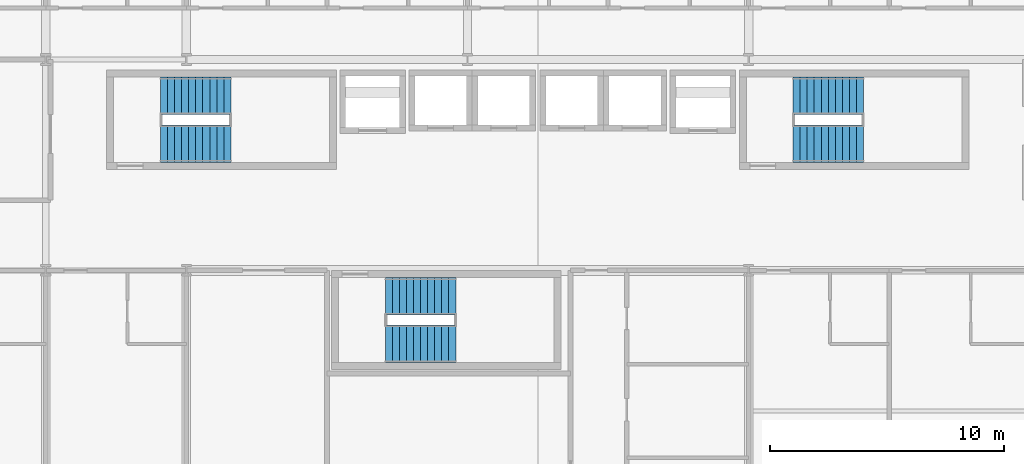
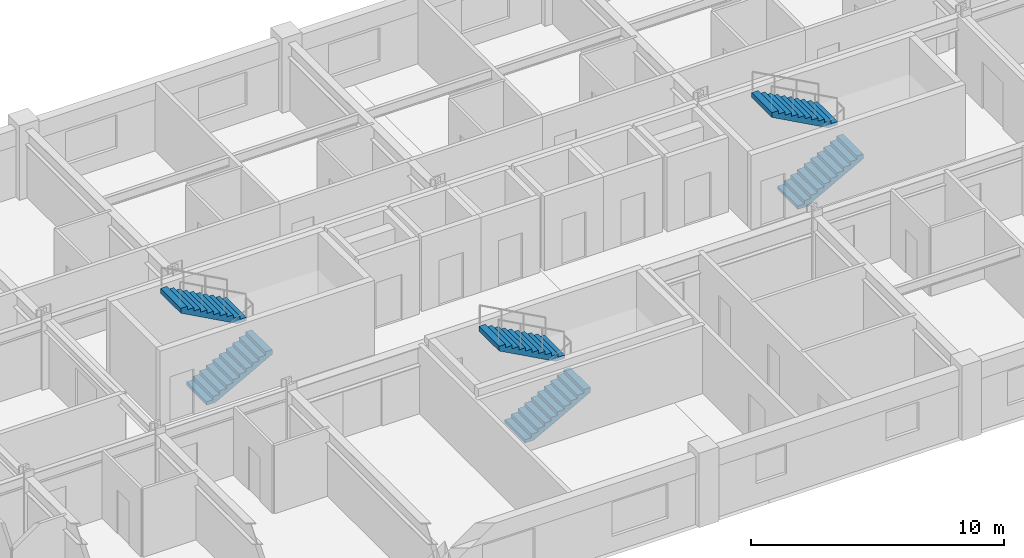
# One storey, part 21 of 22: 6 stair flights, 3 elements without a shape of their own.
"""IFC4 building model written with IfcOpenShell, lengths in metres."""

from ifc_helpers import new_model, si_unit, direction, frame, origin, place, context, subcontext, project, spatial, polyline, outline, extrude, material, type_object, element, aggregate, save


model = new_model("IFC4")

# Units and contexts
model_context = context("Model", 3, precision=1e-05, world=origin(), true_north=direction((0.0, 1.0)))
body_context = subcontext(model_context, "Body", "Model", "MODEL_VIEW")
ifc_project = project(units=[si_unit("LENGTHUNIT", "METRE"), si_unit("AREAUNIT", "SQUARE_METRE"), si_unit("VOLUMEUNIT", "CUBIC_METRE"), si_unit("PLANEANGLEUNIT", "RADIAN"), si_unit("MASSUNIT", "GRAM", prefix="KILO")], contexts=[model_context])

# Site, building, storey
site_placement = place(None, origin())
site = spatial("IfcSite", under=ifc_project, at=site_placement, CompositionType="ELEMENT")
building_placement = place(site_placement, origin())
building = spatial("IfcBuilding", under=site, at=building_placement, Name="Kaldorvane Square Convention Centre", CompositionType="ELEMENT")
storey_placement = place(building_placement, frame((0.0, 0.0, 34.80000305175781)))
storey = spatial("IfcBuildingStorey", under=building, at=storey_placement, Name="L07", CompositionType="ELEMENT", Elevation=34.80000305175781)

# Stair, stair flights
ifc_material = material(Name="Concrete f'c = 42 MPa (Normalweight)", Category="concrete")
stair_type = type_object("IfcStairType", Name="ST-DL-1600-3600", PredefinedType="HALF_TURN_STAIR", material=ifc_material)
stair_1_placement = place(storey_placement, origin())
stair_1 = element("IfcStair", 1, at=stair_1_placement, inside=storey, type_object=stair_type, Name="Tower Exit Stair T1 (L07)", PredefinedType="HALF_TURN_STAIR")
stair_flight_type = type_object("IfcStairFlightType", Name="SF-STR-1600-11R", PredefinedType="STRAIGHT", material=ifc_material)
stair_flight_1_placement = place(storey_placement, frame((40.899993896484375, 101.41000366210938, 0.0), z_axis=(0.0, 0.0, 1.0), x_axis=(1.0, 0.0, 0.0)))
stair_flight_1 = element("IfcStairFlight", 2, at=stair_flight_1_placement, type_object=stair_flight_type, Name="Tower Exit Stair T1 Flight 1 (L07)", NumberOfRisers=11, NumberOfTreads=10, PredefinedType="STRAIGHT", RiserHeight=0.163636364, TreadLength=0.3, context=body_context, shape_type="SweptSolid", body=[
    extrude(outline(polyline([(0.0, 0.0), (0.0, 0.16363525390625), (0.3000030517578125, 0.16363525390625), (0.3000030517578125, 0.3272705078125), (0.600006103515625, 0.3272705078125), (0.600006103515625, 0.49090576171875), (0.899993896484375, 0.49090576171875), (0.899993896484375, 0.654541015625), (1.1999969482421875, 0.654541015625), (1.1999969482421875, 0.81817626953125), (1.5, 0.81817626953125), (1.5, 0.9818115234375), (1.8000030517578125, 0.9818115234375), (1.8000030517578125, 1.1454620361328125), (2.100006103515625, 1.1454620361328125), (2.100006103515625, 1.3090972900390625), (2.399993896484375, 1.3090972900390625), (2.399993896484375, 1.4727325439453125), (2.6999969482421875, 1.4727325439453125), (2.6999969482421875, 1.6363677978515625), (3.0, 1.6363677978515625), (3.0, 1.8000030517578125), (3.0, 1.4085540771484375), (0.41766357421875, 0.0), (0.0, 0.0)])), frame((0.0, 0.8000030517578125, 0.0), z_axis=(0.0, -1.0, 0.0), x_axis=(1.0, 0.0, 0.0)), (0.0, 0.0, 1.0), 1.600006103515625),
])
stair_flight_2_placement = place(storey_placement, frame((43.899993896484375, 103.44999694824219, 1.8000030517578125), z_axis=(0.0, 0.0, 1.0), x_axis=(-1.0, 0.0, 0.0)))
stair_flight_2 = element("IfcStairFlight", 3, at=stair_flight_2_placement, type_object=stair_flight_type, Name="Tower Exit Stair T1 Flight 2 (L07)", NumberOfRisers=11, NumberOfTreads=10, PredefinedType="STRAIGHT", RiserHeight=0.163636364, TreadLength=0.3, context=body_context, shape_type="SweptSolid", body=[
    extrude(outline(polyline([(0.0, 0.0), (0.0, 0.16363525390625), (0.3000030517578125, 0.16363525390625), (0.3000030517578125, 0.3272705078125), (0.600006103515625, 0.3272705078125), (0.600006103515625, 0.49090576171875), (0.899993896484375, 0.49090576171875), (0.899993896484375, 0.654541015625), (1.1999969482421875, 0.654541015625), (1.1999969482421875, 0.81817626953125), (1.5, 0.81817626953125), (1.5, 0.9818115234375), (1.8000030517578125, 0.9818115234375), (1.8000030517578125, 1.1454620361328125), (2.100006103515625, 1.1454620361328125), (2.100006103515625, 1.3090972900390625), (2.399993896484375, 1.3090972900390625), (2.399993896484375, 1.4727325439453125), (2.6999969482421875, 1.4727325439453125), (2.6999969482421875, 1.6363677978515625), (3.0, 1.6363677978515625), (3.0, 1.8000030517578125), (3.0, 1.4085540771484375), (0.41766357421875, 0.0), (0.0, 0.0)])), frame((0.0, 0.8000030517578125, 0.0), z_axis=(0.0, -1.0, 0.0), x_axis=(1.0, 0.0, 0.0)), (0.0, 0.0, 1.0), 1.600006103515625),
])
aggregate(stair_1, [stair_flight_1, stair_flight_2])

stair_2_placement = place(storey_placement, origin())
stair_2 = element("IfcStair", 4, at=stair_2_placement, inside=storey, type_object=stair_type, Name="Tower Exit Stair T2 (L07)", PredefinedType="HALF_TURN_STAIR")
stair_flight_3_placement = place(storey_placement, frame((67.89999389648438, 101.41000366210938, 0.0), z_axis=(0.0, 0.0, 1.0), x_axis=(1.0, 0.0, 0.0)))
stair_flight_3 = element("IfcStairFlight", 5, at=stair_flight_3_placement, type_object=stair_flight_type, Name="Tower Exit Stair T2 Flight 1 (L07)", NumberOfRisers=11, NumberOfTreads=10, PredefinedType="STRAIGHT", RiserHeight=0.163636364, TreadLength=0.3, context=body_context, shape_type="SweptSolid", body=[
    extrude(outline(polyline([(0.0, 0.0), (0.0, 0.16363525390625), (0.3000030517578125, 0.16363525390625), (0.3000030517578125, 0.3272705078125), (0.600006103515625, 0.3272705078125), (0.600006103515625, 0.49090576171875), (0.899993896484375, 0.49090576171875), (0.899993896484375, 0.654541015625), (1.1999969482421875, 0.654541015625), (1.1999969482421875, 0.81817626953125), (1.5, 0.81817626953125), (1.5, 0.9818115234375), (1.8000030517578125, 0.9818115234375), (1.8000030517578125, 1.1454620361328125), (2.100006103515625, 1.1454620361328125), (2.100006103515625, 1.3090972900390625), (2.399993896484375, 1.3090972900390625), (2.399993896484375, 1.4727325439453125), (2.6999969482421875, 1.4727325439453125), (2.6999969482421875, 1.6363677978515625), (3.0, 1.6363677978515625), (3.0, 1.8000030517578125), (3.0, 1.4085540771484375), (0.41766357421875, 0.0), (0.0, 0.0)])), frame((0.0, 0.8000030517578125, 0.0), z_axis=(0.0, -1.0, 0.0), x_axis=(1.0, 0.0, 0.0)), (0.0, 0.0, 1.0), 1.600006103515625),
])
stair_flight_4_placement = place(storey_placement, frame((70.89999389648438, 103.44999694824219, 1.8000030517578125), z_axis=(0.0, 0.0, 1.0), x_axis=(-1.0, 0.0, 0.0)))
stair_flight_4 = element("IfcStairFlight", 6, at=stair_flight_4_placement, type_object=stair_flight_type, Name="Tower Exit Stair T2 Flight 2 (L07)", NumberOfRisers=11, NumberOfTreads=10, PredefinedType="STRAIGHT", RiserHeight=0.163636364, TreadLength=0.3, context=body_context, shape_type="SweptSolid", body=[
    extrude(outline(polyline([(0.0, 0.0), (0.0, 0.16363525390625), (0.3000030517578125, 0.16363525390625), (0.3000030517578125, 0.3272705078125), (0.600006103515625, 0.3272705078125), (0.600006103515625, 0.49090576171875), (0.899993896484375, 0.49090576171875), (0.899993896484375, 0.654541015625), (1.1999969482421875, 0.654541015625), (1.1999969482421875, 0.81817626953125), (1.5, 0.81817626953125), (1.5, 0.9818115234375), (1.8000030517578125, 0.9818115234375), (1.8000030517578125, 1.1454620361328125), (2.100006103515625, 1.1454620361328125), (2.100006103515625, 1.3090972900390625), (2.399993896484375, 1.3090972900390625), (2.399993896484375, 1.4727325439453125), (2.6999969482421875, 1.4727325439453125), (2.6999969482421875, 1.6363677978515625), (3.0, 1.6363677978515625), (3.0, 1.8000030517578125), (3.0, 1.4085540771484375), (0.41766357421875, 0.0), (0.0, 0.0)])), frame((0.0, 0.8000030517578125, 0.0), z_axis=(0.0, -1.0, 0.0), x_axis=(1.0, 0.0, 0.0)), (0.0, 0.0, 1.0), 1.600006103515625),
])
aggregate(stair_2, [stair_flight_3, stair_flight_4])

stair_3_placement = place(storey_placement, origin())
stair_3 = element("IfcStair", 7, at=stair_3_placement, inside=storey, type_object=stair_type, Name="Tower Exit Stair T3 (L07)", PredefinedType="HALF_TURN_STAIR")
stair_flight_5_placement = place(storey_placement, frame((50.5, 92.86000061035156, 0.0), z_axis=(0.0, 0.0, 1.0), x_axis=(1.0, 0.0, 0.0)))
stair_flight_5 = element("IfcStairFlight", 8, at=stair_flight_5_placement, type_object=stair_flight_type, Name="Tower Exit Stair T3 Flight 1 (L07)", NumberOfRisers=11, NumberOfTreads=10, PredefinedType="STRAIGHT", RiserHeight=0.163636364, TreadLength=0.3, context=body_context, shape_type="SweptSolid", body=[
    extrude(outline(polyline([(0.0, 0.0), (0.0, 0.16363525390625), (0.3000030517578125, 0.16363525390625), (0.3000030517578125, 0.3272705078125), (0.600006103515625, 0.3272705078125), (0.600006103515625, 0.49090576171875), (0.899993896484375, 0.49090576171875), (0.899993896484375, 0.654541015625), (1.1999969482421875, 0.654541015625), (1.1999969482421875, 0.81817626953125), (1.5, 0.81817626953125), (1.5, 0.9818115234375), (1.8000030517578125, 0.9818115234375), (1.8000030517578125, 1.1454620361328125), (2.100006103515625, 1.1454620361328125), (2.100006103515625, 1.3090972900390625), (2.399993896484375, 1.3090972900390625), (2.399993896484375, 1.4727325439453125), (2.6999969482421875, 1.4727325439453125), (2.6999969482421875, 1.6363677978515625), (3.0, 1.6363677978515625), (3.0, 1.8000030517578125), (3.0, 1.4085540771484375), (0.41766357421875, 0.0), (0.0, 0.0)])), frame((0.0, 0.8000030517578125, 0.0), z_axis=(0.0, -1.0, 0.0), x_axis=(1.0, 0.0, 0.0)), (0.0, 0.0, 1.0), 1.600006103515625),
])
stair_flight_6_placement = place(storey_placement, frame((53.5, 94.89999389648438, 1.8000030517578125), z_axis=(0.0, 0.0, 1.0), x_axis=(-1.0, 0.0, 0.0)))
stair_flight_6 = element("IfcStairFlight", 9, at=stair_flight_6_placement, type_object=stair_flight_type, Name="Tower Exit Stair T3 Flight 2 (L07)", NumberOfRisers=11, NumberOfTreads=10, PredefinedType="STRAIGHT", RiserHeight=0.163636364, TreadLength=0.3, context=body_context, shape_type="SweptSolid", body=[
    extrude(outline(polyline([(0.0, 0.0), (0.0, 0.16363525390625), (0.3000030517578125, 0.16363525390625), (0.3000030517578125, 0.3272705078125), (0.600006103515625, 0.3272705078125), (0.600006103515625, 0.49090576171875), (0.899993896484375, 0.49090576171875), (0.899993896484375, 0.654541015625), (1.1999969482421875, 0.654541015625), (1.1999969482421875, 0.81817626953125), (1.5, 0.81817626953125), (1.5, 0.9818115234375), (1.8000030517578125, 0.9818115234375), (1.8000030517578125, 1.1454620361328125), (2.100006103515625, 1.1454620361328125), (2.100006103515625, 1.3090972900390625), (2.399993896484375, 1.3090972900390625), (2.399993896484375, 1.4727325439453125), (2.6999969482421875, 1.4727325439453125), (2.6999969482421875, 1.6363677978515625), (3.0, 1.6363677978515625), (3.0, 1.8000030517578125), (3.0, 1.4085540771484375), (0.41766357421875, 0.0), (0.0, 0.0)])), frame((0.0, 0.8000030517578125, 0.0), z_axis=(0.0, -1.0, 0.0), x_axis=(1.0, 0.0, 0.0)), (0.0, 0.0, 1.0), 1.600006103515625),
])
aggregate(stair_3, [stair_flight_5, stair_flight_6])

save(model, "model.ifc")
